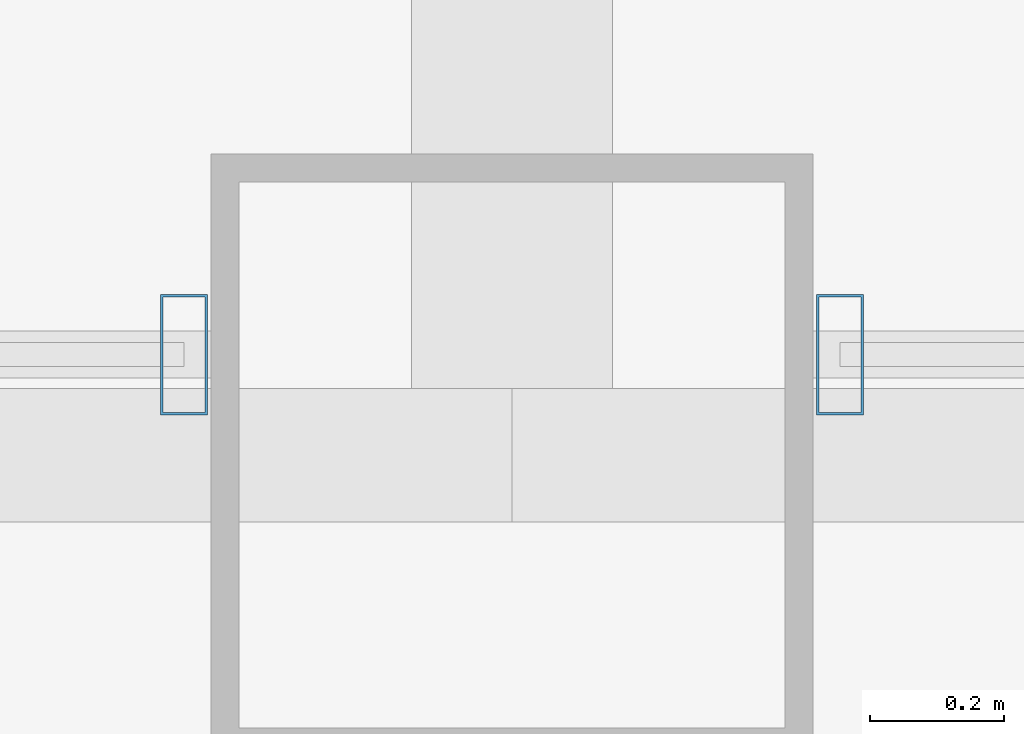
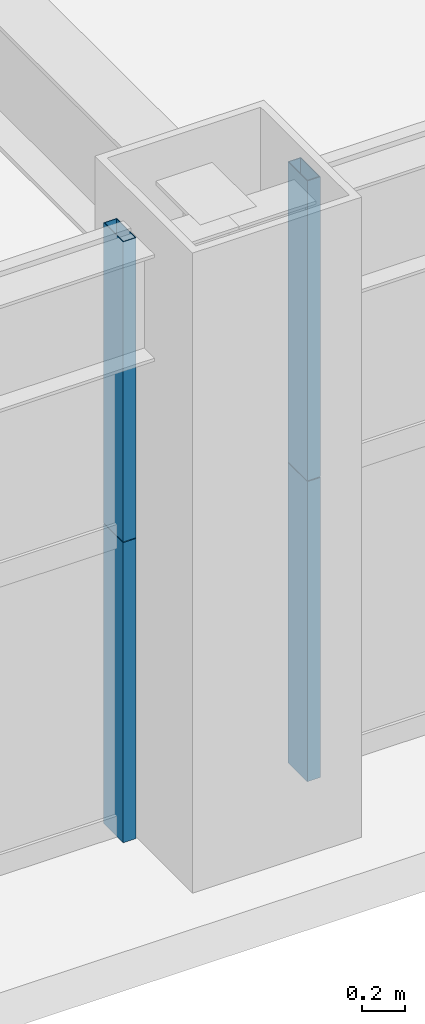
# One storey, part 10 of 39: 4 members, 2 elements without a shape of their own.
"""IFC4 building model written with IfcOpenShell, lengths in metres."""

from ifc_helpers import new_model, si_unit, direction, frame, origin, origin_2d, place, context, subcontext, project, spatial, hollow_rectangle, extrude, source, transform, mapped, material, layer, layer_set, material_profile, profile_set, type_object, element, aggregate, save


model = new_model("IFC4")

# Units and contexts
model_context = context("Model", 3, precision=1e-05, world=origin(), true_north=direction((0.0, 1.0)))
body_context = subcontext(model_context, "Body", "Model", "MODEL_VIEW")
ifc_project = project(units=[si_unit("LENGTHUNIT", "METRE"), si_unit("AREAUNIT", "SQUARE_METRE"), si_unit("VOLUMEUNIT", "CUBIC_METRE"), si_unit("PLANEANGLEUNIT", "RADIAN"), si_unit("MASSUNIT", "GRAM", prefix="KILO"), si_unit("THERMODYNAMICTEMPERATUREUNIT", "KELVIN"), si_unit("POWERUNIT", "WATT")], contexts=[model_context])

# Site, building, storey
site_placement = place(None, origin())
site = spatial("IfcSite", under=ifc_project, at=site_placement, CompositionType="ELEMENT")
building_placement = place(site_placement, origin())
building = spatial("IfcBuilding", under=site, at=building_placement, Name="Yuzanri Waterfront Tower", CompositionType="ELEMENT")
storey_placement = place(building_placement, frame((0.0, 0.0, 148.800048828125)))
storey = spatial("IfcBuildingStorey", under=building, at=storey_placement, Name="L39", CompositionType="ELEMENT", Elevation=148.800048828125)

# Curtain wall, members
ifc_material_1 = material(Name="Anodized Architectural Bronze", Category="metal")
ifc_layer = layer(ifc_material_1, 0.159912109375)
ifc_layer_set = layer_set([ifc_layer], Name="Anodized Architectural Bronze")
curtain_wall_type = type_object("IfcCurtainWallType", Name="Anodized Bronze Hotel Upper-Tier Solar-Control Unitized Curtain Wall 7800", PredefinedType="NOTDEFINED", material=ifc_layer_set)
curtain_wall_1_placement = place(storey_placement, origin())
curtain_wall_1 = element("IfcCurtainWall", 1, at=curtain_wall_1_placement, inside=storey, type_object=curtain_wall_type, Name="L39 Curtain Wall CW-L39-SL", PredefinedType="NOTDEFINED")
ifc_material_2 = material(Name="Anodized Architectural Bronze", Category="metal")
ifc_material_profile = material_profile(ifc_material_2, hollow_rectangle(XDim=0.070068359375, YDim=0.179931640625, WallThickness=0.00390625, at=origin_2d()), Name="CWM 70x180")
ifc_profile_set = profile_set([ifc_material_profile], Name="Anodized Architectural Bronze")
member_type = type_object("IfcMemberType", Name="Anodized Bronze Standard Curtain-Wall Mullion 70x180", PredefinedType="MULLION", material=ifc_profile_set)
shared_shape = source(origin(), body_context, "Body", "SweptSolid", [
    extrude(hollow_rectangle(XDim=0.070068359375, YDim=0.179931640625, WallThickness=0.00390625, at=origin_2d()), origin(), (0.0, 0.0, 1.0), 1.68798828125),
])
member_1_placement = place(storey_placement, frame((36.510009765625, 2.35009765625, 0.0), z_axis=(0.0, 0.0, 1.0), x_axis=(1.0, 0.0, 0.0)))
member_1 = element("IfcMember", 2, at=member_1_placement, type_object=member_type, Name="CW-L39-SL Lower Mullion 02", PredefinedType="MULLION", context=body_context, shape_type="MappedRepresentation", body=[
    mapped(shared_shape, transform((0.0, 0.0, 0.0), scale=1.0)),
])
member_2_placement = place(storey_placement, frame((36.510009765625, 2.35009765625, 1.69189453125), z_axis=(0.0, 0.0, 1.0), x_axis=(1.0, 0.0, 0.0)))
member_2 = element("IfcMember", 3, at=member_2_placement, type_object=member_type, Name="CW-L39-SL Upper Mullion 02", PredefinedType="MULLION", context=body_context, shape_type="MappedRepresentation", body=[
    mapped(shared_shape, transform((0.0, 0.0, 0.0), scale=1.0)),
])
aggregate(curtain_wall_1, [member_1, member_2])

curtain_wall_2_placement = place(storey_placement, origin())
curtain_wall_2 = element("IfcCurtainWall", 4, at=curtain_wall_2_placement, inside=storey, type_object=curtain_wall_type, Name="L39 Curtain Wall CW-L39-SR", PredefinedType="NOTDEFINED")
member_3_placement = place(storey_placement, frame((37.489990234375, 2.35009765625, 0.0), z_axis=(0.0, 0.0, 1.0), x_axis=(1.0, 0.0, 0.0)))
member_3 = element("IfcMember", 5, at=member_3_placement, type_object=member_type, Name="CW-L39-SR Lower Mullion 00", PredefinedType="MULLION", context=body_context, shape_type="MappedRepresentation", body=[
    mapped(shared_shape, transform((0.0, 0.0, 0.0), scale=1.0)),
])
member_4_placement = place(storey_placement, frame((37.489990234375, 2.35009765625, 1.69189453125), z_axis=(0.0, 0.0, 1.0), x_axis=(1.0, 0.0, 0.0)))
member_4 = element("IfcMember", 6, at=member_4_placement, type_object=member_type, Name="CW-L39-SR Upper Mullion 00", PredefinedType="MULLION", context=body_context, shape_type="MappedRepresentation", body=[
    mapped(shared_shape, transform((0.0, 0.0, 0.0), scale=1.0)),
])
aggregate(curtain_wall_2, [member_3, member_4])

save(model, "model.ifc")
